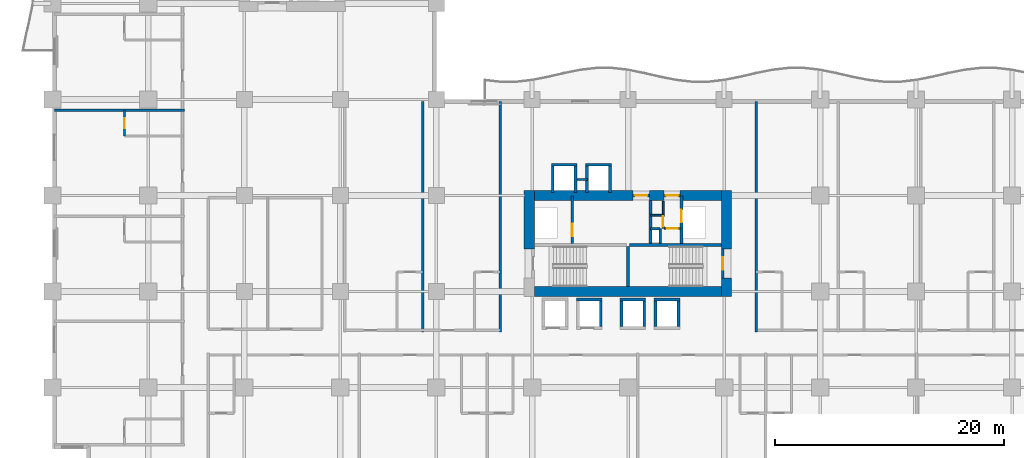
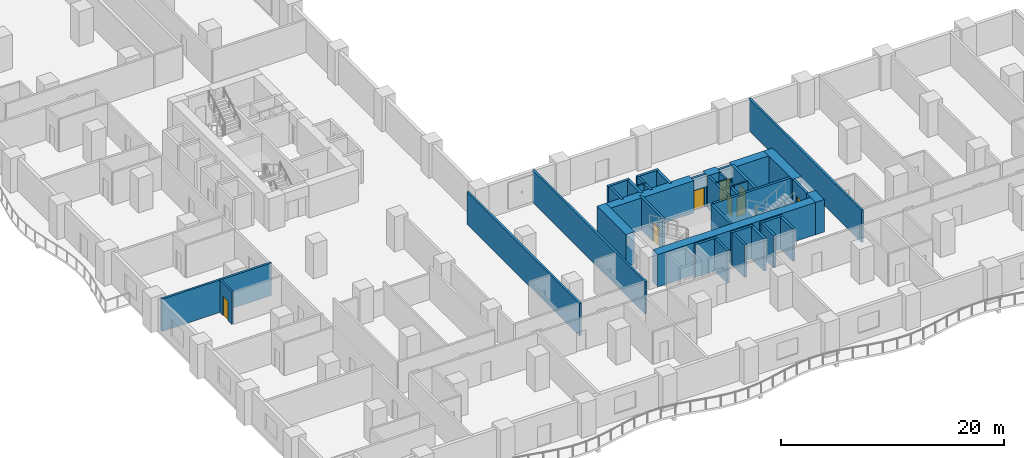
# One storey, part 7 of 22: 40 walls, 8 doors, 8 openings.
"""IFC4 building model written with IfcOpenShell, lengths in metres."""

from ifc_helpers import new_model, si_unit, direction, frame, frame_2d, origin, place, context, subcontext, project, spatial, rectangle, extrude, material, layer, layer_set, type_object, element, fill, save


model = new_model("IFC4")

# Units and contexts
model_context = context("Model", 3, precision=1e-05, world=origin(), true_north=direction((0.0, 1.0)))
body_context = subcontext(model_context, "Body", "Model", "MODEL_VIEW")
ifc_project = project(units=[si_unit("LENGTHUNIT", "METRE"), si_unit("AREAUNIT", "SQUARE_METRE"), si_unit("VOLUMEUNIT", "CUBIC_METRE"), si_unit("PLANEANGLEUNIT", "RADIAN"), si_unit("MASSUNIT", "GRAM", prefix="KILO")], contexts=[model_context])

# Site, building, storey
site_placement = place(None, origin())
site = spatial("IfcSite", under=ifc_project, at=site_placement, CompositionType="ELEMENT")
building_placement = place(site_placement, origin())
building = spatial("IfcBuilding", under=site, at=building_placement, Name="Koriwani Terraces Tower", CompositionType="ELEMENT")
storey_placement = place(building_placement, frame((0.0, 0.0, 51.0)))
storey = spatial("IfcBuildingStorey", under=building, at=storey_placement, Name="L11", CompositionType="ELEMENT", Elevation=51.0)

# Walls
ifc_material_1 = material(Name="Concrete C60/75", Category="concrete")
ifc_layer_1 = layer(ifc_material_1, 0.89990234375, Name="Concrete C60/75")
ifc_layer_set_1 = layer_set([ifc_layer_1], Name="Concrete C60/75")
wall_type_1 = type_object("IfcWallType", Name="WALL_CORE_RC_900", PredefinedType="SHEAR", material=ifc_layer_set_1)
wall_1_placement = place(storey_placement, frame((41.75, 20.5, 0.0), z_axis=(0.0, 0.0, 1.0), x_axis=(0.0, 1.0, 0.0)))
element("IfcWall", 1, at=wall_1_placement, inside=storey, type_object=wall_type_1, Name="L11 East Split Core Shear Wall W2", PredefinedType="SHEAR", context=body_context, shape_type="SweptSolid", body=[
    extrude(rectangle(XDim=5.14990234375, YDim=0.89990234375, at=frame_2d((2.574951171875, 0.0))), origin(), (0.0, 0.0, 1.0), 3.550048828125),
])
wall_2_placement = place(storey_placement, frame((59.0, 16.35009765625, 0.0), z_axis=(0.0, 0.0, 1.0), x_axis=(0.0, 1.0, 0.0)))
element("IfcWall", 2, at=wall_2_placement, inside=storey, type_object=wall_type_1, Name="L11 East Split Core Shear Wall E1", PredefinedType="SHEAR", context=body_context, shape_type="SweptSolid", body=[
    extrude(rectangle(XDim=1.64990234375, YDim=0.89990234375, at=frame_2d((0.824951171875, 0.0))), origin(), (0.0, 0.0, 1.0), 3.550048828125),
])
wall_3_placement = place(storey_placement, frame((59.0, 20.5, 0.0), z_axis=(0.0, 0.0, 1.0), x_axis=(0.0, 1.0, 0.0)))
element("IfcWall", 3, at=wall_3_placement, inside=storey, type_object=wall_type_1, Name="L11 East Split Core Shear Wall E2", PredefinedType="SHEAR", context=body_context, shape_type="SweptSolid", body=[
    extrude(rectangle(XDim=5.14990234375, YDim=0.89990234375, at=frame_2d((2.574951171875, 0.0))), origin(), (0.0, 0.0, 1.0), 3.550048828125),
])
wall_4_placement = place(storey_placement, frame((42.199951171875, 16.800048828125, 0.0), z_axis=(0.0, 0.0, 1.0), x_axis=(1.0, 0.0, 0.0)))
element("IfcWall", 4, at=wall_4_placement, inside=storey, type_object=wall_type_1, Name="L11 East Split Core Shear Wall S1", PredefinedType="SHEAR", context=body_context, shape_type="SweptSolid", body=[
    extrude(rectangle(XDim=16.35009765625, YDim=0.89990234375, at=frame_2d((8.175048828125, 0.0))), origin(), (0.0, 0.0, 1.0), 3.550048828125),
])
wall_5_placement = place(storey_placement, frame((42.199951171875, 25.199951171875, 0.0), z_axis=(0.0, 0.0, 1.0), x_axis=(1.0, 0.0, 0.0)))
element("IfcWall", 5, at=wall_5_placement, inside=storey, type_object=wall_type_1, Name="L11 East Split Core Shear Wall N1", PredefinedType="SHEAR", context=body_context, shape_type="SweptSolid", body=[
    extrude(rectangle(XDim=8.60009765625, YDim=0.89990234375, at=frame_2d((4.300048828125, 0.0))), origin(), (0.0, 0.0, 1.0), 3.550048828125),
])
wall_6_placement = place(storey_placement, frame((52.280029296875, 25.199951171875, 0.0), z_axis=(0.0, 0.0, 1.0), x_axis=(1.0, 0.0, 0.0)))
element("IfcWall", 6, at=wall_6_placement, inside=storey, type_object=wall_type_1, Name="L11 East Split Core Shear Wall N2", PredefinedType="SHEAR", context=body_context, shape_type="SweptSolid", body=[
    extrude(rectangle(XDim=1.27001953125, YDim=0.89990234375, at=frame_2d((0.635009765625, 0.0))), origin(), (0.0, 0.0, 1.0), 3.550048828125),
])
wall_7_placement = place(storey_placement, frame((54.949951171875, 25.199951171875, 0.0), z_axis=(0.0, 0.0, 1.0), x_axis=(1.0, 0.0, 0.0)))
element("IfcWall", 7, at=wall_7_placement, inside=storey, type_object=wall_type_1, Name="L11 East Split Core Shear Wall N3", PredefinedType="SHEAR", context=body_context, shape_type="SweptSolid", body=[
    extrude(rectangle(XDim=3.60009765625, YDim=0.89990234375, at=frame_2d((1.800048828125, 0.0))), origin(), (0.0, 0.0, 1.0), 3.550048828125),
])
ifc_material_2 = material(Name="Autoclaved Cellular Concrete Blockwork", Category="masonry")
ifc_layer_2 = layer(ifc_material_2, 0.219970703125, Name="Autoclaved Cellular Concrete Blockwork")
ifc_layer_set_2 = layer_set([ifc_layer_2], Name="Autoclaved Cellular Concrete Blockwork")
wall_type_2 = type_object("IfcWallType", Name="WALL_DEMISING_220", PredefinedType="PARTITIONING", material=ifc_layer_set_2)
for number, where, z_axis, x_axis, name in (
    (8, (32.39990234375, 13.25, 0.0), (0.0, 0.0, 1.0), (0.0, 1.0, 0.0), "L11 Interior Wall WDEM-L11-SWI-1"),
    (9, (39.199951171875, 13.25, 0.0), (0.0, 0.0, 1.0), (0.0, 1.0, 0.0), "L11 Interior Wall WDEME-L11-SWI"),
):
    element("IfcWall", number, at=place(storey_placement, frame(where, z_axis=z_axis, x_axis=x_axis)), inside=storey, type_object=wall_type_2, Name=name, PredefinedType="PARTITIONING", context=body_context, shape_type="SweptSolid", body=[
        extrude(rectangle(XDim=20.179931640625, YDim=0.219970703125, at=frame_2d((10.08984375, 0.0))), origin(), (0.0, 0.0, 1.0), 3.550048828125),
    ])
wall_8_placement = place(storey_placement, frame((0.199951171875, 32.64990234375, 0.0), z_axis=(0.0, 0.0, 1.0), x_axis=(1.0, 0.0, 0.0)))
element("IfcWall", 10, at=wall_8_placement, inside=storey, type_object=wall_type_2, Name="L11 Interior Wall WDEM-L11-NW-3", PredefinedType="PARTITIONING", context=body_context, shape_type="SweptSolid", body=[
    extrude(rectangle(XDim=11.380126953125, YDim=0.219970703125, at=frame_2d((5.68994140625, 0.0))), origin(), (0.0, 0.0, 1.0), 3.550048828125),
])
wall_9_placement = place(storey_placement, frame((61.60009765625, 13.25, 0.0), z_axis=(0.0, 0.0, 1.0), x_axis=(0.0, 1.0, 0.0)))
element("IfcWall", 11, at=wall_9_placement, inside=storey, type_object=wall_type_2, Name="L11 Interior Wall WDEM-L11-SE-0", PredefinedType="PARTITIONING", context=body_context, shape_type="SweptSolid", body=[
    extrude(rectangle(XDim=20.179931640625, YDim=0.219970703125, at=frame_2d((10.08984375, 0.0))), origin(), (0.0, 0.0, 1.0), 3.550048828125),
])

# Wall, opening, door
ifc_material_3 = material(Name="Fire-Rated Acoustic Gypsum Partition", Category="masonry")
ifc_layer_3 = layer(ifc_material_3, 0.179931640625, Name="Fire-Rated Acoustic Gypsum Partition")
ifc_layer_set_3 = layer_set([ifc_layer_3], Name="Fire-Rated Acoustic Gypsum Partition")
wall_type_3 = type_object("IfcWallType", Name="WALL_PLUMBING_180", PredefinedType="PLUMBINGWALL", material=ifc_layer_set_3)
wall_10_placement = place(storey_placement, frame((6.300048828125, 30.39990234375, 0.0), z_axis=(0.0, 0.0, 1.0), x_axis=(0.0, 1.0, 0.0)))
wall_10 = element("IfcWall", 12, at=wall_10_placement, inside=storey, type_object=wall_type_3, Name="L11 Interior Wall WBTH1-L11-NW-2", PredefinedType="PLUMBINGWALL", context=body_context, shape_type="SweptSolid", body=[
    extrude(rectangle(XDim=2.25, YDim=0.179931640625, at=frame_2d((1.125, 0.0))), origin(), (0.0, 0.0, 1.0), 3.550048828125),
])
opening_1_placement = place(wall_10_placement, frame((0.675048828125, 0.0, 0.0)))
opening_1 = element("IfcOpeningElement", 13, at=opening_1_placement, cuts=wall_10, Name="Opening D-07", PredefinedType="OPENING", context=body_context, shape_type="SweptSolid", body=[
    extrude(rectangle(XDim=0.89990234375, YDim=2.10009765625, at=frame_2d((0.449951171875, 1.050048828125))), frame((0.0, 0.10009765625, 0.0), z_axis=(0.0, -1.0, 0.0), x_axis=(1.0, 0.0, 0.0)), (0.0, 0.0, 1.0), 0.199951171875),
])
ifc_material_4 = material(Name="Architectural Oak Fire Door", Category="wood")
door_type_1 = type_object("IfcDoorType", Name="DOOR_BATH_INT_900X2100", OperationType="NOTDEFINED", PredefinedType="DOOR", material=ifc_material_4)
door_1_placement = place(opening_1_placement, origin())
door_1 = element("IfcDoor", 14, at=door_1_placement, inside=storey, type_object=door_type_1, Name="En-Suite Bathroom 11NW3 Door", OperationType="SINGLE_SWING_RIGHT", OverallHeight=2.10009765625, OverallWidth=0.89990234375, PredefinedType="DOOR", context=body_context, shape_type="SweptSolid", body=[
    extrude(rectangle(XDim=0.89990234375, YDim=2.10009765625, at=frame_2d((0.449951171875, 1.050048828125))), frame((0.0, 0.02490234375, 0.0), z_axis=(0.0, -1.0, 0.0), x_axis=(1.0, 0.0, 0.0)), (0.0, 0.0, 1.0), 0.050048828125),
])
fill(opening_1, door_1)

# Walls
ifc_material_5 = material(Name="Concrete C40/50", Category="concrete")
ifc_layer_4 = layer(ifc_material_5, 0.25, Name="Concrete C40/50")
ifc_layer_set_4 = layer_set([ifc_layer_4], Name="Concrete C40/50")
wall_type_4 = type_object("IfcWallType", Name="WALL_SHAFT_RATED_250", PredefinedType="SOLIDWALL", material=ifc_layer_set_4)
wall_11_placement = place(storey_placement, frame((50.5, 20.875, 0.0), z_axis=(0.0, 0.0, 1.0), x_axis=(1.0, 0.0, 0.0)))
element("IfcWall", 15, at=wall_11_placement, inside=storey, type_object=wall_type_4, Name="L11 East Split Core Web Wall MID2", PredefinedType="SOLIDWALL", context=body_context, shape_type="SweptSolid", body=[
    extrude(rectangle(XDim=8.050048828125, YDim=0.25, at=frame_2d((4.02490234375, 0.0))), origin(), (0.0, 0.0, 1.0), 3.550048828125),
])
wall_12_placement = place(storey_placement, frame((50.375, 17.25, 0.0), z_axis=(0.0, 0.0, 1.0), x_axis=(0.0, 1.0, 0.0)))
element("IfcWall", 16, at=wall_12_placement, inside=storey, type_object=wall_type_4, Name="L11 East Split Core Stair Dividing Wall", PredefinedType="SOLIDWALL", context=body_context, shape_type="SweptSolid", body=[
    extrude(rectangle(XDim=3.5, YDim=0.25, at=frame_2d((1.75, 0.0))), origin(), (0.0, 0.0, 1.0), 3.550048828125),
])

# Wall, opening, door
wall_13_placement = place(storey_placement, frame((58.675048828125, 18.0, 0.0), z_axis=(0.0, 0.0, 1.0), x_axis=(0.0, 1.0, 0.0)))
wall_13 = element("IfcWall", 17, at=wall_13_placement, inside=storey, type_object=wall_type_4, Name="L11 Interior Wall WIN-CE-L11-STE", PredefinedType="SOLIDWALL", context=body_context, shape_type="SweptSolid", body=[
    extrude(rectangle(XDim=2.5, YDim=0.25, at=frame_2d((1.25, 0.0))), origin(), (0.0, 0.0, 1.0), 3.550048828125),
])
opening_2_placement = place(wall_13_placement, frame((0.699951171875, 0.0, 0.0)))
opening_2 = element("IfcOpeningElement", 18, at=opening_2_placement, cuts=wall_13, Name="Opening D-03", PredefinedType="OPENING", context=body_context, shape_type="SweptSolid", body=[
    extrude(rectangle(XDim=1.10009765625, YDim=2.14990234375, at=frame_2d((0.550048828125, 1.074951171875))), frame((0.0, 0.135009765625, 0.0), z_axis=(0.0, -1.0, 0.0), x_axis=(1.0, 0.0, 0.0)), (0.0, 0.0, 1.0), 0.27001953125),
])
ifc_material_6 = material(Name="Steel ASTM A572 Grade 50", Category="steel")
door_type_2 = type_object("IfcDoorType", Name="DOOR_STAIR_FIRE_1100X2150", OperationType="NOTDEFINED", PredefinedType="DOOR", material=ifc_material_6)
door_2_placement = place(opening_2_placement, origin())
door_2 = element("IfcDoor", 19, at=door_2_placement, inside=storey, type_object=door_type_2, Name="L11 Exit Stair ST-E2 Door", OperationType="SINGLE_SWING_LEFT", OverallHeight=2.14990234375, OverallWidth=1.10009765625, PredefinedType="DOOR", context=body_context, shape_type="SweptSolid", body=[
    extrude(rectangle(XDim=1.10009765625, YDim=2.14990234375, at=frame_2d((0.550048828125, 1.074951171875))), frame((0.0, 0.02490234375, 0.0), z_axis=(0.0, -1.0, 0.0), x_axis=(1.0, 0.0, 0.0)), (0.0, 0.0, 1.0), 0.050048828125),
])
fill(opening_2, door_2)

wall_14_placement = place(storey_placement, frame((45.5, 21.0, 0.0), z_axis=(0.0, 0.0, 1.0), x_axis=(0.0, 1.0, 0.0)))
wall_14 = element("IfcWall", 20, at=wall_14_placement, inside=storey, type_object=wall_type_4, Name="L11 Interior Wall WIN-CE-L11-FE", PredefinedType="SOLIDWALL", context=body_context, shape_type="SweptSolid", body=[
    extrude(rectangle(XDim=4.14990234375, YDim=0.25, at=frame_2d((2.074951171875, 0.0))), origin(), (0.0, 0.0, 1.0), 3.550048828125),
])
opening_3_placement = place(wall_14_placement, frame((0.64990234375, 0.0, 0.0)))
opening_3 = element("IfcOpeningElement", 21, at=opening_3_placement, cuts=wall_14, Name="Opening LD-01", PredefinedType="OPENING", context=body_context, shape_type="SweptSolid", body=[
    extrude(rectangle(XDim=1.10009765625, YDim=2.14990234375, at=frame_2d((0.550048828125, 1.074951171875))), frame((0.0, 0.135009765625, 0.0), z_axis=(0.0, -1.0, 0.0), x_axis=(1.0, 0.0, 0.0)), (0.0, 0.0, 1.0), 0.27001953125),
])
door_type_3 = type_object("IfcDoorType", Name="DOOR_LIFT_LANDING_1100X2200", OperationType="NOTDEFINED", PredefinedType="DOOR", material=ifc_material_6)
door_3_placement = place(opening_3_placement, origin())
door_3 = element("IfcDoor", 22, at=door_3_placement, inside=storey, type_object=door_type_3, Name="L11 Firefighting Lift FE-02 Landing Door", OperationType="SLIDING_TO_LEFT", OverallHeight=2.14990234375, OverallWidth=1.10009765625, PredefinedType="DOOR", context=body_context, shape_type="SweptSolid", body=[
    extrude(rectangle(XDim=1.10009765625, YDim=2.14990234375, at=frame_2d((0.550048828125, 1.074951171875))), frame((0.0, 0.02490234375, 0.0), z_axis=(0.0, -1.0, 0.0), x_axis=(1.0, 0.0, 0.0)), (0.0, 0.0, 1.0), 0.050048828125),
])
fill(opening_3, door_3)

wall_15_placement = place(storey_placement, frame((50.800048828125, 25.199951171875, 0.0), z_axis=(0.0, 0.0, 1.0), x_axis=(1.0, 0.0, 0.0)))
wall_15 = element("IfcWall", 23, at=wall_15_placement, inside=storey, type_object=wall_type_4, Name="L11 Interior Wall WIN-CE-L11-NP", PredefinedType="SOLIDWALL", context=body_context, shape_type="SweptSolid", body=[
    extrude(rectangle(XDim=1.47998046875, YDim=0.25, at=frame_2d((0.739990234375, 0.0))), origin(), (0.0, 0.0, 1.0), 3.550048828125),
])
opening_4_placement = place(wall_15_placement, frame((0.179931640625, 0.0, 0.0)))
opening_4 = element("IfcOpeningElement", 24, at=opening_4_placement, cuts=wall_15, Name="Opening D-03", PredefinedType="OPENING", context=body_context, shape_type="SweptSolid", body=[
    extrude(rectangle(XDim=1.10009765625, YDim=2.14990234375, at=frame_2d((0.550048828125, 1.074951171875))), frame((0.0, 0.135009765625, 0.0), z_axis=(0.0, -1.0, 0.0), x_axis=(1.0, 0.0, 0.0)), (0.0, 0.0, 1.0), 0.27001953125),
])
door_4_placement = place(opening_4_placement, origin())
door_4 = element("IfcDoor", 25, at=door_4_placement, inside=storey, type_object=door_type_2, Name="L11 East Firefighting Lobby Door", OperationType="SINGLE_SWING_RIGHT", OverallHeight=2.14990234375, OverallWidth=1.10009765625, PredefinedType="DOOR", context=body_context, shape_type="SweptSolid", body=[
    extrude(rectangle(XDim=1.10009765625, YDim=2.14990234375, at=frame_2d((0.550048828125, 1.074951171875))), frame((0.0, 0.02490234375, 0.0), z_axis=(0.0, -1.0, 0.0), x_axis=(1.0, 0.0, 0.0)), (0.0, 0.0, 1.0), 0.050048828125),
])
fill(opening_4, door_4)

# Wall
wall_16_placement = place(storey_placement, frame((52.340087890625, 21.0, 0.0), z_axis=(0.0, 0.0, 1.0), x_axis=(0.0, 1.0, 0.0)))
element("IfcWall", 26, at=wall_16_placement, inside=storey, type_object=wall_type_4, Name="L11 Interior Wall WIN-CE-L11-FFE", PredefinedType="SOLIDWALL", context=body_context, shape_type="SweptSolid", body=[
    extrude(rectangle(XDim=3.75, YDim=0.25, at=frame_2d((1.875, 0.0))), origin(), (0.0, 0.0, 1.0), 3.550048828125),
])

# Wall, opening, door
wall_17_placement = place(storey_placement, frame((55.050048828125, 21.0, 0.0), z_axis=(0.0, 0.0, 1.0), x_axis=(0.0, 1.0, 0.0)))
wall_17 = element("IfcWall", 27, at=wall_17_placement, inside=storey, type_object=wall_type_4, Name="L11 Interior Wall WIN-CE-L11-SE", PredefinedType="SOLIDWALL", context=body_context, shape_type="SweptSolid", body=[
    extrude(rectangle(XDim=4.14990234375, YDim=0.25, at=frame_2d((2.074951171875, 0.0))), origin(), (0.0, 0.0, 1.0), 3.550048828125),
])
opening_5_placement = place(wall_17_placement, frame((1.85009765625, 0.0, 0.0)))
opening_5 = element("IfcOpeningElement", 28, at=opening_5_placement, cuts=wall_17, Name="Opening LD-01", PredefinedType="OPENING", context=body_context, shape_type="SweptSolid", body=[
    extrude(rectangle(XDim=1.10009765625, YDim=2.14990234375, at=frame_2d((0.550048828125, 1.074951171875))), frame((0.0, 0.135009765625, 0.0), z_axis=(0.0, -1.0, 0.0), x_axis=(1.0, 0.0, 0.0)), (0.0, 0.0, 1.0), 0.27001953125),
])
door_5_placement = place(opening_5_placement, origin())
door_5 = element("IfcDoor", 29, at=door_5_placement, inside=storey, type_object=door_type_3, Name="L11 Goods Lift SE-02 Landing Door", OperationType="SLIDING_TO_LEFT", OverallHeight=2.14990234375, OverallWidth=1.10009765625, PredefinedType="DOOR", context=body_context, shape_type="SweptSolid", body=[
    extrude(rectangle(XDim=1.10009765625, YDim=2.14990234375, at=frame_2d((0.550048828125, 1.074951171875))), frame((0.0, 0.02490234375, 0.0), z_axis=(0.0, -1.0, 0.0), x_axis=(1.0, 0.0, 0.0)), (0.0, 0.0, 1.0), 0.050048828125),
])
fill(opening_5, door_5)

wall_18_placement = place(storey_placement, frame((53.550048828125, 25.199951171875, 0.0), z_axis=(0.0, 0.0, 1.0), x_axis=(1.0, 0.0, 0.0)))
wall_18 = element("IfcWall", 30, at=wall_18_placement, inside=storey, type_object=wall_type_4, Name="L11 Interior Wall WIN-CE-L11-NP2", PredefinedType="SOLIDWALL", context=body_context, shape_type="SweptSolid", body=[
    extrude(rectangle(XDim=1.39990234375, YDim=0.25, at=frame_2d((0.699951171875, 0.0))), origin(), (0.0, 0.0, 1.0), 3.550048828125),
])
opening_6_placement = place(wall_18_placement, frame((0.14990234375, 0.0, 0.0)))
opening_6 = element("IfcOpeningElement", 31, at=opening_6_placement, cuts=wall_18, Name="Opening D-03", PredefinedType="OPENING", context=body_context, shape_type="SweptSolid", body=[
    extrude(rectangle(XDim=1.10009765625, YDim=2.14990234375, at=frame_2d((0.550048828125, 1.074951171875))), frame((0.0, 0.135009765625, 0.0), z_axis=(0.0, -1.0, 0.0), x_axis=(1.0, 0.0, 0.0)), (0.0, 0.0, 1.0), 0.27001953125),
])
door_6_placement = place(opening_6_placement, origin())
door_6 = element("IfcDoor", 32, at=door_6_placement, inside=storey, type_object=door_type_2, Name="L11 East Goods Lift Lobby Door", OperationType="SINGLE_SWING_LEFT", OverallHeight=2.14990234375, OverallWidth=1.10009765625, PredefinedType="DOOR", context=body_context, shape_type="SweptSolid", body=[
    extrude(rectangle(XDim=1.10009765625, YDim=2.14990234375, at=frame_2d((0.550048828125, 1.074951171875))), frame((0.0, 0.02490234375, 0.0), z_axis=(0.0, -1.0, 0.0), x_axis=(1.0, 0.0, 0.0)), (0.0, 0.0, 1.0), 0.050048828125),
])
fill(opening_6, door_6)

# Walls
wall_19_placement = place(storey_placement, frame((53.199951171875, 21.0, 0.0), z_axis=(0.0, 0.0, 1.0), x_axis=(0.0, 1.0, 0.0)))
element("IfcWall", 33, at=wall_19_placement, inside=storey, type_object=wall_type_4, Name="L11 Interior Wall WIN-CE-L11-RS1", PredefinedType="SOLIDWALL", context=body_context, shape_type="SweptSolid", body=[
    extrude(rectangle(XDim=1.300048828125, YDim=0.25, at=frame_2d((0.64990234375, 0.0))), origin(), (0.0, 0.0, 1.0), 3.550048828125),
])
wall_20_placement = place(storey_placement, frame((52.360107421875, 22.300048828125, 0.0), z_axis=(0.0, 0.0, 1.0), x_axis=(1.0, 0.0, 0.0)))
element("IfcWall", 34, at=wall_20_placement, inside=storey, type_object=wall_type_4, Name="L11 Interior Wall WIN-CE-L11-RS2", PredefinedType="SOLIDWALL", context=body_context, shape_type="SweptSolid", body=[
    extrude(rectangle(XDim=0.83984375, YDim=0.25, at=frame_2d((0.419921875, 0.0))), origin(), (0.0, 0.0, 1.0), 3.550048828125),
])
for number, where, z_axis, x_axis, name in (
    (35, (45.875, 16.10009765625, 0.0), (0.0, 0.0, 1.0), (1.0, 0.0, 0.0), "L11 Interior Wall WIN-LF-PE-L4-L11-B"),
    (36, (48.0, 13.72509765625, 0.0), (0.0, 0.0, 1.0), (0.0, 1.0, 0.0), "L11 Interior Wall WIN-LF-PE-L4-L11-E"),
    (37, (49.675048828125, 16.10009765625, 0.0), (0.0, 0.0, 1.0), (1.0, 0.0, 0.0), "L11 Interior Wall WIN-LF-PE-M3-L11-B"),
    (38, (49.800048828125, 13.72509765625, 0.0), (0.0, 0.0, 1.0), (0.0, 1.0, 0.0), "L11 Interior Wall WIN-LF-PE-M3-L11-W"),
    (39, (51.800048828125, 13.72509765625, 0.0), (0.0, 0.0, 1.0), (0.0, 1.0, 0.0), "L11 Interior Wall WIN-LF-PE-M3-L11-E"),
    (40, (52.675048828125, 16.10009765625, 0.0), (0.0, 0.0, 1.0), (1.0, 0.0, 0.0), "L11 Interior Wall WIN-LF-PE-M4-L11-B"),
    (41, (52.800048828125, 13.72509765625, 0.0), (0.0, 0.0, 1.0), (0.0, 1.0, 0.0), "L11 Interior Wall WIN-LF-PE-M4-L11-W"),
    (42, (54.800048828125, 13.72509765625, 0.0), (0.0, 0.0, 1.0), (0.0, 1.0, 0.0), "L11 Interior Wall WIN-LF-PE-M4-L11-E"),
    (43, (43.675048828125, 27.89990234375, 0.0), (0.0, 0.0, 1.0), (1.0, 0.0, 0.0), "L11 Interior Wall WIN-LF-PE-H3-L11-F"),
):
    element("IfcWall", number, at=place(storey_placement, frame(where, z_axis=z_axis, x_axis=x_axis)), inside=storey, type_object=wall_type_4, Name=name, PredefinedType="SOLIDWALL", context=body_context, shape_type="SweptSolid", body=[
        extrude(rectangle(XDim=2.25, YDim=0.25, at=frame_2d((1.125, 0.0))), origin(), (0.0, 0.0, 1.0), 3.550048828125),
    ])
for number, where, z_axis, x_axis, name in (
    (44, (43.800048828125, 25.449951171875, 0.0), (0.0, 0.0, 1.0), (0.0, 1.0, 0.0), "L11 Interior Wall WIN-LF-PE-H3-L11-W"),
    (45, (45.800048828125, 25.449951171875, 0.0), (0.0, 0.0, 1.0), (0.0, 1.0, 0.0), "L11 Interior Wall WIN-LF-PE-H3-L11-E"),
):
    element("IfcWall", number, at=place(storey_placement, frame(where, z_axis=z_axis, x_axis=x_axis)), inside=storey, type_object=wall_type_4, Name=name, PredefinedType="SOLIDWALL", context=body_context, shape_type="SweptSolid", body=[
        extrude(rectangle(XDim=2.324951171875, YDim=0.25, at=frame_2d((1.16259765625, 0.0))), origin(), (0.0, 0.0, 1.0), 3.550048828125),
    ])
wall_21_placement = place(storey_placement, frame((46.675048828125, 27.89990234375, 0.0), z_axis=(0.0, 0.0, 1.0), x_axis=(1.0, 0.0, 0.0)))
element("IfcWall", 46, at=wall_21_placement, inside=storey, type_object=wall_type_4, Name="L11 Interior Wall WIN-LF-PE-H4-L11-F", PredefinedType="SOLIDWALL", context=body_context, shape_type="SweptSolid", body=[
    extrude(rectangle(XDim=2.25, YDim=0.25, at=frame_2d((1.125, 0.0))), origin(), (0.0, 0.0, 1.0), 3.550048828125),
])
for number, where, z_axis, x_axis, name in (
    (47, (46.800048828125, 25.449951171875, 0.0), (0.0, 0.0, 1.0), (0.0, 1.0, 0.0), "L11 Interior Wall WIN-LF-PE-H4-L11-W"),
    (48, (48.800048828125, 25.449951171875, 0.0), (0.0, 0.0, 1.0), (0.0, 1.0, 0.0), "L11 Interior Wall WIN-LF-PE-H4-L11-E"),
):
    element("IfcWall", number, at=place(storey_placement, frame(where, z_axis=z_axis, x_axis=x_axis)), inside=storey, type_object=wall_type_4, Name=name, PredefinedType="SOLIDWALL", context=body_context, shape_type="SweptSolid", body=[
        extrude(rectangle(XDim=2.324951171875, YDim=0.25, at=frame_2d((1.16259765625, 0.0))), origin(), (0.0, 0.0, 1.0), 3.550048828125),
    ])

# Wall, opening, door
ifc_layer_5 = layer(ifc_material_3, 0.159912109375, Name="Fire-Rated Acoustic Gypsum Partition")
ifc_layer_set_5 = layer_set([ifc_layer_5], Name="Fire-Rated Acoustic Gypsum Partition")
wall_type_5 = type_object("IfcWallType", Name="WALL_SUITE_160", PredefinedType="PARTITIONING", material=ifc_layer_set_5)
wall_22_placement = place(storey_placement, frame((53.56005859375, 22.320068359375, 0.0), z_axis=(0.0, 0.0, 1.0), x_axis=(1.0, 0.0, 0.0)))
wall_22 = element("IfcWall", 49, at=wall_22_placement, inside=storey, type_object=wall_type_5, Name="L11 Interior Wall WIN-CE-L11-SV2A", PredefinedType="PARTITIONING", context=body_context, shape_type="SweptSolid", body=[
    extrude(rectangle(XDim=1.43994140625, YDim=0.159912109375, at=frame_2d((0.719970703125, 0.0))), origin(), (0.0, 0.0, 1.0), 3.550048828125),
])
opening_7_placement = place(wall_22_placement, frame((0.260009765625, 0.0, 0.0)))
opening_7 = element("IfcOpeningElement", 50, at=opening_7_placement, cuts=wall_22, Name="Opening D-07", PredefinedType="OPENING", context=body_context, shape_type="SweptSolid", body=[
    extrude(rectangle(XDim=0.89990234375, YDim=2.10009765625, at=frame_2d((0.449951171875, 1.050048828125))), frame((0.0, 0.08984375, 0.0), z_axis=(0.0, -1.0, 0.0), x_axis=(1.0, 0.0, 0.0)), (0.0, 0.0, 1.0), 0.179931640625),
])
door_7_placement = place(opening_7_placement, origin())
door_7 = element("IfcDoor", 51, at=door_7_placement, inside=storey, type_object=door_type_1, Name="L11 East Meter Room Door", OperationType="SINGLE_SWING_RIGHT", OverallHeight=2.10009765625, OverallWidth=0.89990234375, PredefinedType="DOOR", context=body_context, shape_type="SweptSolid", body=[
    extrude(rectangle(XDim=0.89990234375, YDim=2.10009765625, at=frame_2d((0.449951171875, 1.050048828125))), frame((0.0, 0.02490234375, 0.0), z_axis=(0.0, -1.0, 0.0), x_axis=(1.0, 0.0, 0.0)), (0.0, 0.0, 1.0), 0.050048828125),
])
fill(opening_7, door_7)

wall_23_placement = place(storey_placement, frame((53.4599609375, 22.320068359375, 0.0), z_axis=(0.0, 0.0, 1.0), x_axis=(0.0, 1.0, 0.0)))
wall_23 = element("IfcWall", 52, at=wall_23_placement, inside=storey, type_object=wall_type_5, Name="L11 Interior Wall WIN-CE-L11-SV2H", PredefinedType="PARTITIONING", context=body_context, shape_type="SweptSolid", body=[
    extrude(rectangle(XDim=2.35986328125, YDim=0.159912109375, at=frame_2d((1.179931640625, 0.0))), origin(), (0.0, 0.0, 1.0), 3.550048828125),
])
opening_8_placement = place(wall_23_placement, frame((0.159912109375, 0.0, 0.0)))
opening_8 = element("IfcOpeningElement", 53, at=opening_8_placement, cuts=wall_23, Name="Opening D-07", PredefinedType="OPENING", context=body_context, shape_type="SweptSolid", body=[
    extrude(rectangle(XDim=0.89990234375, YDim=2.10009765625, at=frame_2d((0.449951171875, 1.050048828125))), frame((0.0, 0.08984375, 0.0), z_axis=(0.0, -1.0, 0.0), x_axis=(1.0, 0.0, 0.0)), (0.0, 0.0, 1.0), 0.179931640625),
])
door_8_placement = place(opening_8_placement, origin())
door_8 = element("IfcDoor", 54, at=door_8_placement, inside=storey, type_object=door_type_1, Name="L11 East Valve Room Door", OperationType="SINGLE_SWING_LEFT", OverallHeight=2.10009765625, OverallWidth=0.89990234375, PredefinedType="DOOR", context=body_context, shape_type="SweptSolid", body=[
    extrude(rectangle(XDim=0.89990234375, YDim=2.10009765625, at=frame_2d((0.449951171875, 1.050048828125))), frame((0.0, 0.02490234375, 0.0), z_axis=(0.0, -1.0, 0.0), x_axis=(1.0, 0.0, 0.0)), (0.0, 0.0, 1.0), 0.050048828125),
])
fill(opening_8, door_8)

# Walls
wall_24_placement = place(storey_placement, frame((52.360107421875, 23.47998046875, 0.0), z_axis=(0.0, 0.0, 1.0), x_axis=(1.0, 0.0, 0.0)))
element("IfcWall", 55, at=wall_24_placement, inside=storey, type_object=wall_type_5, Name="L11 Interior Wall WIN-CE-L11-SV2V", PredefinedType="PARTITIONING", context=body_context, shape_type="SweptSolid", body=[
    extrude(rectangle(XDim=1.099853515625, YDim=0.159912109375, at=frame_2d((0.5498046875, 0.0))), origin(), (0.0, 0.0, 1.0), 3.550048828125),
])
wall_25_placement = place(storey_placement, frame((45.9599609375, 26.60009765625, 0.0), z_axis=(0.0, 0.0, 1.0), x_axis=(1.0, 0.0, 0.0)))
element("IfcWall", 56, at=wall_25_placement, inside=storey, type_object=wall_type_5, Name="L11 Interior Wall WIN-LF-PEH34-MID-L11", PredefinedType="PARTITIONING", context=body_context, shape_type="SweptSolid", body=[
    extrude(rectangle(XDim=0.880126953125, YDim=0.159912109375, at=frame_2d((0.43994140625, 0.0))), origin(), (0.0, 0.0, 1.0), 3.550048828125),
])

save(model, "model.ifc")
